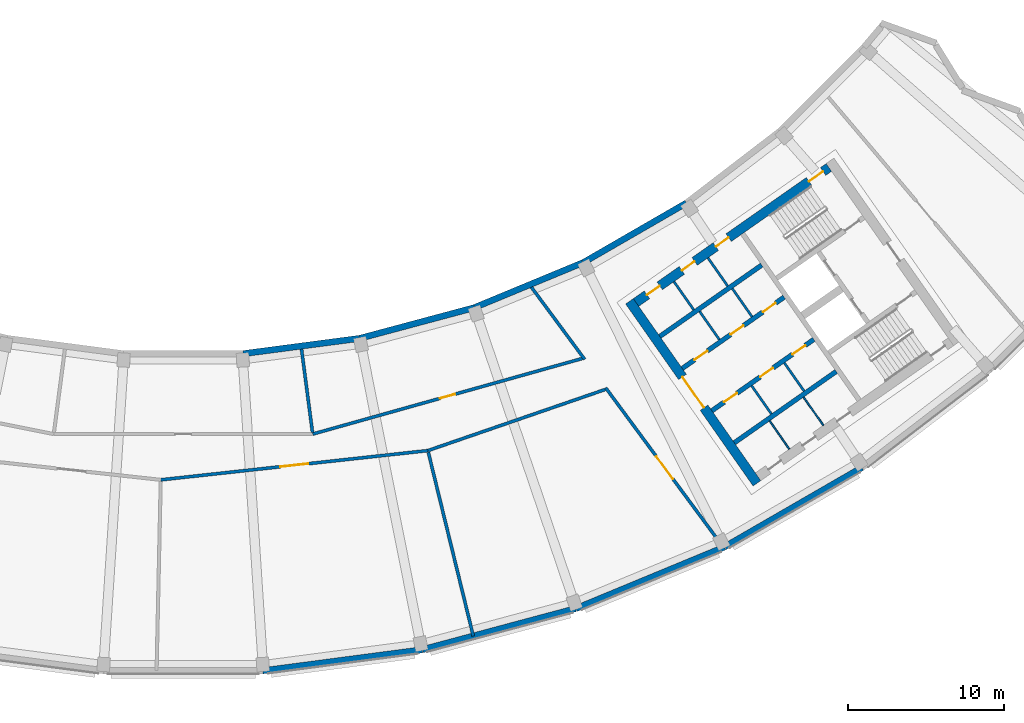
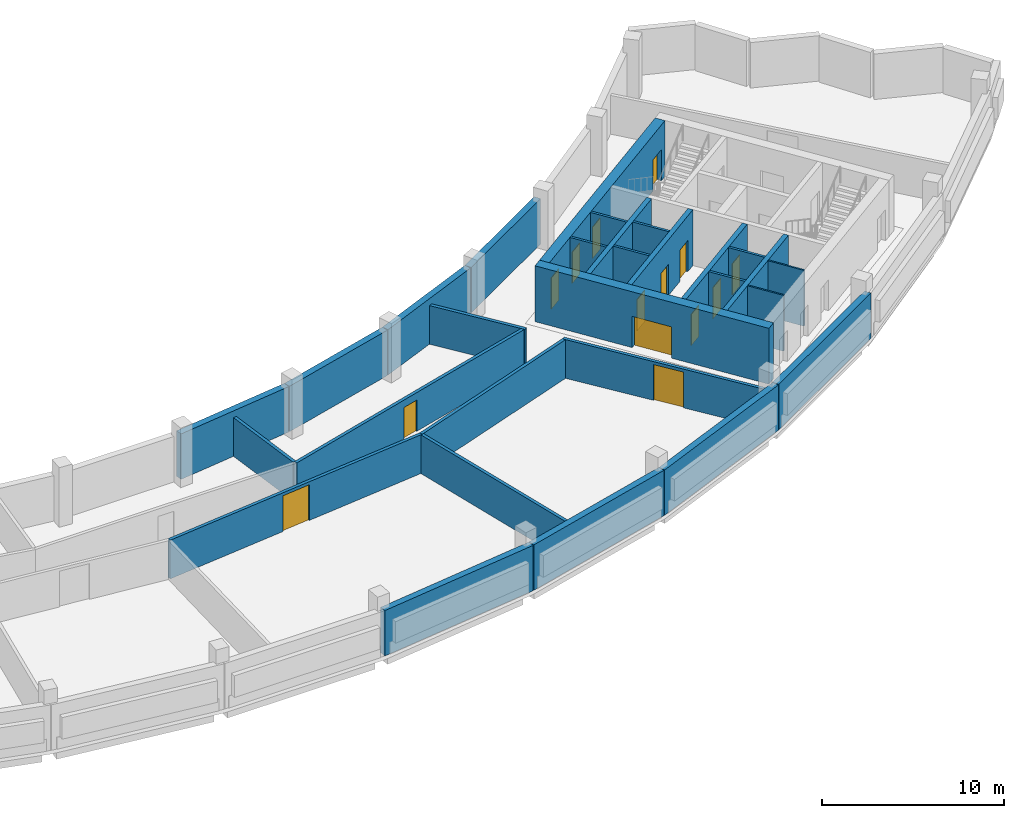
# One storey, part 5 of 11: 29 walls, 14 doors, 14 openings.
"""IFC4 building model written with IfcOpenShell, lengths in metres."""

from ifc_helpers import new_model, si_unit, direction, frame, frame_2d, origin, place, context, subcontext, project, spatial, rectangle, extrude, material, layer, layer_set, type_object, element, fill, save


model = new_model("IFC4")

# Units and contexts
model_context = context("Model", 3, precision=1e-05, world=origin(), true_north=direction((0.0, 1.0)))
body_context = subcontext(model_context, "Body", "Model", "MODEL_VIEW")
ifc_project = project(units=[si_unit("LENGTHUNIT", "METRE"), si_unit("AREAUNIT", "SQUARE_METRE"), si_unit("VOLUMEUNIT", "CUBIC_METRE"), si_unit("PLANEANGLEUNIT", "RADIAN"), si_unit("MASSUNIT", "GRAM", prefix="KILO")], contexts=[model_context])

# Site, building, storey
site_placement = place(None, origin())
site = spatial("IfcSite", under=ifc_project, at=site_placement, CompositionType="ELEMENT")
building_placement = place(site_placement, origin())
building = spatial("IfcBuilding", under=site, at=building_placement, Name="Qamariyya Broadcast Tower", CompositionType="ELEMENT")
storey_placement = place(building_placement, frame((0.0, 0.0, 298.699951171875)))
storey = spatial("IfcBuildingStorey", under=building, at=storey_placement, Name="L72", CompositionType="ELEMENT", Elevation=298.699951171875)

# Wall, opening, door
ifc_material_1 = material(Name="Concrete C60/75", Category="concrete")
ifc_layer_1 = layer(ifc_material_1, 0.60009765625)
ifc_layer_set_1 = layer_set([ifc_layer_1], Name="Core wall 600 mm Concrete C60/75")
wall_type_1 = type_object("IfcWallType", Name="Core wall 600 mm Concrete C60/75", PredefinedType="SHEAR", material=ifc_layer_set_1)
wall_1_placement = place(storey_placement, frame((36.66748046875, -66.005126953125, 0.0), z_axis=(0.0, 0.0, 1.0), x_axis=(-0.573568499524, 0.819157601658, 0.0)))
wall_1 = element("IfcWall", 1, at=wall_1_placement, inside=storey, type_object=wall_type_1, Name="k-E-L72-WA", PredefinedType="SHEAR", context=body_context, shape_type="SweptSolid", body=[
    extrude(rectangle(XDim=14.19970703125, YDim=0.60009765625, at=frame_2d((7.099853515625, 0.0))), origin(), (0.0, 0.0, 1.0), 3.75),
])
opening_1_placement = place(wall_1_placement, frame((5.89990234375, 0.0, 0.0)))
opening_1 = element("IfcOpeningElement", 2, at=opening_1_placement, cuts=wall_1, Name="Opening KD3-E1", PredefinedType="OPENING", context=body_context, shape_type="SweptSolid", body=[
    extrude(rectangle(XDim=2.39990234375, YDim=2.10009765625, at=frame_2d((1.199951171875, 1.050048828125))), frame((0.0, 0.31005859375, 0.0), z_axis=(0.0, -1.0, 0.0), x_axis=(1.0, 0.0, 0.0)), (0.0, 0.0, 1.0), 0.6201171875),
])
ifc_material_2 = material(Name="Steel fire-resisting door leaf", Category="steel")
door_type_1 = type_object("IfcDoorType", Name="Lift lobby door KD3", OperationType="DOUBLE_DOOR_SINGLE_SWING", PredefinedType="DOOR", material=ifc_material_2)
door_1_placement = place(opening_1_placement, origin())
door_1 = element("IfcDoor", 3, at=door_1_placement, inside=storey, type_object=door_type_1, Name="k-E-L72-WA-D1", OperationType="DOUBLE_DOOR_SINGLE_SWING", OverallHeight=2.10009765625, OverallWidth=2.39990234375, PredefinedType="DOOR", context=body_context, shape_type="SweptSolid", body=[
    extrude(rectangle(XDim=2.39990234375, YDim=2.10009765625, at=frame_2d((1.199951171875, 1.050048828125))), frame((0.0, 0.02490234375, 0.0), z_axis=(0.0, -1.0, 0.0), x_axis=(1.0, 0.0, 0.0)), (0.0, 0.0, 1.0), 0.050048828125),
])
fill(opening_1, door_1)

# Wall, openings, doors
wall_2_placement = place(storey_placement, frame((28.940673828125, -54.447021484375, 0.0), z_axis=(0.0, 0.0, 1.0), x_axis=(0.819153391756, 0.573574511963, 0.0)))
wall_2 = element("IfcWall", 4, at=wall_2_placement, inside=storey, type_object=wall_type_1, Name="k-E-L72-WI", PredefinedType="SHEAR", context=body_context, shape_type="SweptSolid", body=[
    extrude(rectangle(XDim=15.04541015625, YDim=0.60009765625, at=frame_2d((7.522705078125, 0.0))), origin(), (0.0, 0.0, 1.0), 3.75),
])
opening_2_placement = place(wall_2_placement, frame((0.85009765625, 0.0, 0.0)))
opening_2 = element("IfcOpeningElement", 5, at=opening_2_placement, cuts=wall_2, Name="Opening KD4-E7", PredefinedType="OPENING", context=body_context, shape_type="SweptSolid", body=[
    extrude(rectangle(XDim=1.0, YDim=2.10009765625, at=frame_2d((0.5, 1.050048828125))), frame((0.0, 0.31005859375, 0.0), z_axis=(0.0, -1.0, 0.0), x_axis=(1.0, 0.0, 0.0)), (0.0, 0.0, 1.0), 0.6201171875),
])
opening_3_placement = place(wall_2_placement, frame((3.574951171875, 0.0, 0.0)))
opening_3 = element("IfcOpeningElement", 6, at=opening_3_placement, cuts=wall_2, Name="Opening KD4-E8", PredefinedType="OPENING", context=body_context, shape_type="SweptSolid", body=[
    extrude(rectangle(XDim=1.0, YDim=2.10009765625, at=frame_2d((0.5, 1.050048828125))), frame((0.0, 0.31005859375, 0.0), z_axis=(0.0, -1.0, 0.0), x_axis=(1.0, 0.0, 0.0)), (0.0, 0.0, 1.0), 0.6201171875),
])
opening_4_placement = place(wall_2_placement, frame((6.22509765625, 0.0, 0.0)))
opening_4 = element("IfcOpeningElement", 7, at=opening_4_placement, cuts=wall_2, Name="Opening KD4-E9", PredefinedType="OPENING", context=body_context, shape_type="SweptSolid", body=[
    extrude(rectangle(XDim=1.0, YDim=2.10009765625, at=frame_2d((0.5, 1.050048828125))), frame((0.0, 0.31005859375, 0.0), z_axis=(0.0, -1.0, 0.0), x_axis=(1.0, 0.0, 0.0)), (0.0, 0.0, 1.0), 0.6201171875),
])
opening_5_placement = place(wall_2_placement, frame((13.495361328125, 0.0, 0.0)))
opening_5 = element("IfcOpeningElement", 8, at=opening_5_placement, cuts=wall_2, Name="Opening KD1-E1", PredefinedType="OPENING", context=body_context, shape_type="SweptSolid", body=[
    extrude(rectangle(XDim=1.10009765625, YDim=2.10009765625, at=frame_2d((0.550048828125, 1.050048828125))), frame((0.0, 0.31005859375, 0.0), z_axis=(0.0, -1.0, 0.0), x_axis=(1.0, 0.0, 0.0)), (0.0, 0.0, 1.0), 0.6201171875),
])
door_type_2 = type_object("IfcDoorType", Name="Riser and plant door KD4", OperationType="SINGLE_SWING_LEFT", PredefinedType="DOOR", material=ifc_material_2)
door_2_placement = place(opening_2_placement, origin())
door_2 = element("IfcDoor", 9, at=door_2_placement, inside=storey, type_object=door_type_2, Name="k-E-L72-WI-D8", OperationType="SINGLE_SWING_RIGHT", OverallHeight=2.10009765625, OverallWidth=1.0, PredefinedType="DOOR", context=body_context, shape_type="SweptSolid", body=[
    extrude(rectangle(XDim=1.0, YDim=2.10009765625, at=frame_2d((0.5, 1.050048828125))), frame((0.0, 0.02490234375, 0.0), z_axis=(0.0, -1.0, 0.0), x_axis=(1.0, 0.0, 0.0)), (0.0, 0.0, 1.0), 0.050048828125),
])
fill(opening_2, door_2)
door_3_placement = place(opening_3_placement, origin())
door_3 = element("IfcDoor", 10, at=door_3_placement, inside=storey, type_object=door_type_2, Name="k-E-L72-WI-D9", OperationType="SINGLE_SWING_LEFT", OverallHeight=2.10009765625, OverallWidth=1.0, PredefinedType="DOOR", context=body_context, shape_type="SweptSolid", body=[
    extrude(rectangle(XDim=1.0, YDim=2.10009765625, at=frame_2d((0.5, 1.050048828125))), frame((0.0, 0.02490234375, 0.0), z_axis=(0.0, -1.0, 0.0), x_axis=(1.0, 0.0, 0.0)), (0.0, 0.0, 1.0), 0.050048828125),
])
fill(opening_3, door_3)
door_4_placement = place(opening_4_placement, origin())
door_4 = element("IfcDoor", 11, at=door_4_placement, inside=storey, type_object=door_type_2, Name="k-E-L72-WI-D10", OperationType="SINGLE_SWING_RIGHT", OverallHeight=2.10009765625, OverallWidth=1.0, PredefinedType="DOOR", context=body_context, shape_type="SweptSolid", body=[
    extrude(rectangle(XDim=1.0, YDim=2.10009765625, at=frame_2d((0.5, 1.050048828125))), frame((0.0, 0.02490234375, 0.0), z_axis=(0.0, -1.0, 0.0), x_axis=(1.0, 0.0, 0.0)), (0.0, 0.0, 1.0), 0.050048828125),
])
fill(opening_4, door_4)
door_type_3 = type_object("IfcDoorType", Name="Stair door KD1", OperationType="SINGLE_SWING_LEFT", PredefinedType="DOOR", material=ifc_material_2)
door_5_placement = place(opening_5_placement, origin())
door_5 = element("IfcDoor", 12, at=door_5_placement, inside=storey, type_object=door_type_3, Name="k-E-L72-WI-D17", OperationType="SINGLE_SWING_RIGHT", OverallHeight=2.10009765625, OverallWidth=1.10009765625, PredefinedType="DOOR", context=body_context, shape_type="SweptSolid", body=[
    extrude(rectangle(XDim=1.10009765625, YDim=2.10009765625, at=frame_2d((0.550048828125, 1.050048828125))), frame((0.0, 0.02490234375, 0.0), z_axis=(0.0, -1.0, 0.0), x_axis=(1.0, 0.0, 0.0)), (0.0, 0.0, 1.0), 0.050048828125),
])
fill(opening_5, door_5)

# Walls
ifc_material_3 = material(Name="Gypsum board partition on steel studs", Category="steel")
ifc_layer_2 = layer(ifc_material_3, 0.14990234375)
ifc_layer_set_2 = layer_set([ifc_layer_2], Name="Gypsum board partition 150 mm")
wall_type_2 = type_object("IfcWallType", Name="Gypsum board partition 150 mm", PredefinedType="PARTITIONING", material=ifc_layer_set_2)
for number, where, z_axis, x_axis, name in (
    (13, (34.26611328125, -56.822021484375, 0.0), (0.0, 0.0, 1.0), (-0.573581496053, 0.819148501424, 0.0), "k-E-L72-NC300"),
    (14, (36.35498046875, -55.359375, 0.0), (0.0, 0.0, 1.0), (-0.573581496053, 0.819148501424, 0.0), "k-E-L72-NC555"),
):
    element("IfcWall", number, at=place(storey_placement, frame(where, z_axis=z_axis, x_axis=x_axis)), inside=storey, type_object=wall_type_2, Name=name, PredefinedType="PARTITIONING", context=body_context, shape_type="SweptSolid", body=[
        extrude(rectangle(XDim=2.2001953125, YDim=0.14990234375, at=frame_2d((1.10009765625, 0.0))), origin(), (0.0, 0.0, 1.0), 3.75),
    ])
for number, where, z_axis, x_axis, name in (
    (15, (36.330810546875, -59.77099609375, 0.0), (0.0, 0.0, 1.0), (0.573633636671, -0.819111989218, 0.0), "k-E-L72-SC300"),
    (16, (38.419677734375, -58.308349609375, 0.0), (0.0, 0.0, 1.0), (0.573633636671, -0.819111989218, 0.0), "k-E-L72-SC555"),
    (17, (32.627197265625, -54.91748046875, 0.0), (0.0, 0.0, 1.0), (-0.573507030513, 0.819200638399, 0.0), "k-E-L72-NP275"),
    (18, (34.798095703125, -53.3974609375, 0.0), (0.0, 0.0, 1.0), (-0.573633636671, 0.819111989218, 0.0), "k-E-L72-NP540"),
):
    element("IfcWall", number, at=place(storey_placement, frame(where, z_axis=z_axis, x_axis=x_axis)), inside=storey, type_object=wall_type_2, Name=name, PredefinedType="PARTITIONING", context=body_context, shape_type="SweptSolid", body=[
        extrude(rectangle(XDim=2.199951171875, YDim=0.14990234375, at=frame_2d((1.10009765625, 0.0))), origin(), (0.0, 0.0, 1.0), 3.75),
    ])

# Wall, openings, doors
ifc_layer_3 = layer(ifc_material_1, 0.300048828125)
ifc_layer_set_3 = layer_set([ifc_layer_3], Name="Lift shaft wall 300 mm Concrete C60/75")
wall_type_3 = type_object("IfcWallType", Name="Lift shaft wall 300 mm Concrete C60/75", PredefinedType="SOLIDWALL", material=ifc_layer_set_3)
wall_3_placement = place(storey_placement, frame((31.89453125, -58.66552734375, 0.0), z_axis=(0.0, 0.0, 1.0), x_axis=(0.819166993208, 0.573555086491, 0.0)))
wall_3 = element("IfcWall", 19, at=wall_3_placement, inside=storey, type_object=wall_type_3, Name="k-E-L72-NF0", PredefinedType="SOLIDWALL", context=body_context, shape_type="SweptSolid", body=[
    extrude(rectangle(XDim=7.9501953125, YDim=0.300048828125, at=frame_2d((3.97509765625, 0.0))), origin(), (0.0, 0.0, 1.0), 3.75),
])
opening_6_placement = place(wall_3_placement, frame((0.96240234375, 0.0, 0.0)))
opening_6 = element("IfcOpeningElement", 20, at=opening_6_placement, cuts=wall_3, Name="Opening KD4-E1", PredefinedType="OPENING", context=body_context, shape_type="SweptSolid", body=[
    extrude(rectangle(XDim=1.0, YDim=2.10009765625, at=frame_2d((0.5, 1.050048828125))), frame((0.0, 0.159912109375, 0.0), z_axis=(0.0, -1.0, 0.0), x_axis=(1.0, 0.0, 0.0)), (0.0, 0.0, 1.0), 0.320068359375),
])
opening_7_placement = place(wall_3_placement, frame((3.77490234375, 0.0, 0.0)))
opening_7 = element("IfcOpeningElement", 21, at=opening_7_placement, cuts=wall_3, Name="Opening KD4-E2", PredefinedType="OPENING", context=body_context, shape_type="SweptSolid", body=[
    extrude(rectangle(XDim=1.0, YDim=2.10009765625, at=frame_2d((0.5, 1.050048828125))), frame((0.0, 0.159912109375, 0.0), z_axis=(0.0, -1.0, 0.0), x_axis=(1.0, 0.0, 0.0)), (0.0, 0.0, 1.0), 0.320068359375),
])
opening_8_placement = place(wall_3_placement, frame((6.28759765625, 0.0, 0.0)))
opening_8 = element("IfcOpeningElement", 22, at=opening_8_placement, cuts=wall_3, Name="Opening KD4-E3", PredefinedType="OPENING", context=body_context, shape_type="SweptSolid", body=[
    extrude(rectangle(XDim=1.0, YDim=2.10009765625, at=frame_2d((0.5, 1.050048828125))), frame((0.0, 0.159912109375, 0.0), z_axis=(0.0, -1.0, 0.0), x_axis=(1.0, 0.0, 0.0)), (0.0, 0.0, 1.0), 0.320068359375),
])
door_6_placement = place(opening_6_placement, origin())
door_6 = element("IfcDoor", 23, at=door_6_placement, inside=storey, type_object=door_type_2, Name="k-E-L72-NF0-D2", OperationType="SINGLE_SWING_RIGHT", OverallHeight=2.10009765625, OverallWidth=1.0, PredefinedType="DOOR", context=body_context, shape_type="SweptSolid", body=[
    extrude(rectangle(XDim=1.0, YDim=2.10009765625, at=frame_2d((0.5, 1.050048828125))), frame((0.0, 0.02490234375, 0.0), z_axis=(0.0, -1.0, 0.0), x_axis=(1.0, 0.0, 0.0)), (0.0, 0.0, 1.0), 0.050048828125),
])
fill(opening_6, door_6)
door_7_placement = place(opening_7_placement, origin())
door_7 = element("IfcDoor", 24, at=door_7_placement, inside=storey, type_object=door_type_2, Name="k-E-L72-NF0-D3", OperationType="SINGLE_SWING_LEFT", OverallHeight=2.10009765625, OverallWidth=1.0, PredefinedType="DOOR", context=body_context, shape_type="SweptSolid", body=[
    extrude(rectangle(XDim=1.0, YDim=2.10009765625, at=frame_2d((0.5, 1.050048828125))), frame((0.0, 0.02490234375, 0.0), z_axis=(0.0, -1.0, 0.0), x_axis=(1.0, 0.0, 0.0)), (0.0, 0.0, 1.0), 0.050048828125),
])
fill(opening_7, door_7)
door_8_placement = place(opening_8_placement, origin())
door_8 = element("IfcDoor", 25, at=door_8_placement, inside=storey, type_object=door_type_2, Name="k-E-L72-NF0-D4", OperationType="SINGLE_SWING_RIGHT", OverallHeight=2.10009765625, OverallWidth=1.0, PredefinedType="DOOR", context=body_context, shape_type="SweptSolid", body=[
    extrude(rectangle(XDim=1.0, YDim=2.10009765625, at=frame_2d((0.5, 1.050048828125))), frame((0.0, 0.02490234375, 0.0), z_axis=(0.0, -1.0, 0.0), x_axis=(1.0, 0.0, 0.0)), (0.0, 0.0, 1.0), 0.050048828125),
])
fill(opening_8, door_8)

# Wall
wall_4_placement = place(storey_placement, frame((30.460693359375, -56.61767578125, 0.0), z_axis=(0.0, 0.0, 1.0), x_axis=(0.819142461705, 0.573590121456, 0.0)))
element("IfcWall", 26, at=wall_4_placement, inside=storey, type_object=wall_type_3, Name="k-E-L72-NB0", PredefinedType="SOLIDWALL", context=body_context, shape_type="SweptSolid", body=[
    extrude(rectangle(XDim=7.949951171875, YDim=0.300048828125, at=frame_2d((3.97509765625, 0.0))), origin(), (0.0, 0.0, 1.0), 3.75),
])

# Wall, openings, doors
wall_5_placement = place(storey_placement, frame((33.787353515625, -61.368896484375, 0.0), z_axis=(0.0, 0.0, 1.0), x_axis=(0.819152564888, 0.573575692858, 0.0)))
wall_5 = element("IfcWall", 27, at=wall_5_placement, inside=storey, type_object=wall_type_3, Name="k-E-L72-SF0", PredefinedType="SOLIDWALL", context=body_context, shape_type="SweptSolid", body=[
    extrude(rectangle(XDim=7.9501953125, YDim=0.300048828125, at=frame_2d((3.97509765625, 0.0))), origin(), (0.0, 0.0, 1.0), 3.75),
])
opening_9_placement = place(wall_5_placement, frame((0.96240234375, 0.0, 0.0)))
opening_9 = element("IfcOpeningElement", 28, at=opening_9_placement, cuts=wall_5, Name="Opening KD4-E4", PredefinedType="OPENING", context=body_context, shape_type="SweptSolid", body=[
    extrude(rectangle(XDim=1.0, YDim=2.10009765625, at=frame_2d((0.5, 1.050048828125))), frame((0.0, 0.159912109375, 0.0), z_axis=(0.0, -1.0, 0.0), x_axis=(1.0, 0.0, 0.0)), (0.0, 0.0, 1.0), 0.320068359375),
])
opening_10_placement = place(wall_5_placement, frame((3.77490234375, 0.0, 0.0)))
opening_10 = element("IfcOpeningElement", 29, at=opening_10_placement, cuts=wall_5, Name="Opening KD4-E5", PredefinedType="OPENING", context=body_context, shape_type="SweptSolid", body=[
    extrude(rectangle(XDim=1.0, YDim=2.10009765625, at=frame_2d((0.5, 1.050048828125))), frame((0.0, 0.159912109375, 0.0), z_axis=(0.0, -1.0, 0.0), x_axis=(1.0, 0.0, 0.0)), (0.0, 0.0, 1.0), 0.320068359375),
])
opening_11_placement = place(wall_5_placement, frame((6.28759765625, 0.0, 0.0)))
opening_11 = element("IfcOpeningElement", 30, at=opening_11_placement, cuts=wall_5, Name="Opening KD4-E6", PredefinedType="OPENING", context=body_context, shape_type="SweptSolid", body=[
    extrude(rectangle(XDim=1.0, YDim=2.10009765625, at=frame_2d((0.5, 1.050048828125))), frame((0.0, 0.159912109375, 0.0), z_axis=(0.0, -1.0, 0.0), x_axis=(1.0, 0.0, 0.0)), (0.0, 0.0, 1.0), 0.320068359375),
])
door_9_placement = place(opening_9_placement, origin())
door_9 = element("IfcDoor", 31, at=door_9_placement, inside=storey, type_object=door_type_2, Name="k-E-L72-SF0-D5", OperationType="SINGLE_SWING_LEFT", OverallHeight=2.10009765625, OverallWidth=1.0, PredefinedType="DOOR", context=body_context, shape_type="SweptSolid", body=[
    extrude(rectangle(XDim=1.0, YDim=2.10009765625, at=frame_2d((0.5, 1.050048828125))), frame((0.0, 0.02490234375, 0.0), z_axis=(0.0, -1.0, 0.0), x_axis=(1.0, 0.0, 0.0)), (0.0, 0.0, 1.0), 0.050048828125),
])
fill(opening_9, door_9)
door_10_placement = place(opening_10_placement, origin())
door_10 = element("IfcDoor", 32, at=door_10_placement, inside=storey, type_object=door_type_2, Name="k-E-L72-SF0-D6", OperationType="SINGLE_SWING_RIGHT", OverallHeight=2.10009765625, OverallWidth=1.0, PredefinedType="DOOR", context=body_context, shape_type="SweptSolid", body=[
    extrude(rectangle(XDim=1.0, YDim=2.10009765625, at=frame_2d((0.5, 1.050048828125))), frame((0.0, 0.02490234375, 0.0), z_axis=(0.0, -1.0, 0.0), x_axis=(1.0, 0.0, 0.0)), (0.0, 0.0, 1.0), 0.050048828125),
])
fill(opening_10, door_10)
door_11_placement = place(opening_11_placement, origin())
door_11 = element("IfcDoor", 33, at=door_11_placement, inside=storey, type_object=door_type_2, Name="k-E-L72-SF0-D7", OperationType="SINGLE_SWING_LEFT", OverallHeight=2.10009765625, OverallWidth=1.0, PredefinedType="DOOR", context=body_context, shape_type="SweptSolid", body=[
    extrude(rectangle(XDim=1.0, YDim=2.10009765625, at=frame_2d((0.5, 1.050048828125))), frame((0.0, 0.02490234375, 0.0), z_axis=(0.0, -1.0, 0.0), x_axis=(1.0, 0.0, 0.0)), (0.0, 0.0, 1.0), 0.050048828125),
])
fill(opening_11, door_11)

# Wall
wall_6_placement = place(storey_placement, frame((35.22119140625, -63.41650390625, 0.0), z_axis=(0.0, 0.0, 1.0), x_axis=(0.819166993208, 0.573555086491, 0.0)))
element("IfcWall", 34, at=wall_6_placement, inside=storey, type_object=wall_type_3, Name="k-E-L72-SB0", PredefinedType="SOLIDWALL", context=body_context, shape_type="SweptSolid", body=[
    extrude(rectangle(XDim=7.9501953125, YDim=0.300048828125, at=frame_2d((3.97509765625, 0.0))), origin(), (0.0, 0.0, 1.0), 3.75),
])

# Wall, opening, door
ifc_material_4 = material(Name="Masonry block wall", Category="masonry")
ifc_layer_4 = layer(ifc_material_4, 0.199951171875)
ifc_layer_set_4 = layer_set([ifc_layer_4], Name="Plant room wall 200 EI 120")
wall_type_4 = type_object("IfcWallType", Name="Plant room wall 200 EI 120", PredefinedType="PARTITIONING", material=ifc_layer_set_4)
wall_7_placement = place(storey_placement, frame((15.637939453125, -63.914794921875, 0.0), z_axis=(0.0, 0.0, 1.0), x_axis=(-0.99406045317, -0.108829294966, 0.0)))
wall_7 = element("IfcWall", 35, at=wall_7_placement, inside=storey, type_object=wall_type_4, Name="Partition L72-013", PredefinedType="PARTITIONING", context=body_context, shape_type="SweptSolid", body=[
    extrude(rectangle(XDim=17.17724609375, YDim=0.199951171875, at=frame_2d((8.588623046875, 0.0))), origin(), (0.0, 0.0, 1.0), 2.60009765625),
])
opening_12_placement = place(wall_7_placement, frame((7.688720703125, 0.0, 0.0)))
opening_12 = element("IfcOpeningElement", 36, at=opening_12_placement, cuts=wall_7, Name="Opening L72-D03", PredefinedType="OPENING", context=body_context, shape_type="SweptSolid", body=[
    extrude(rectangle(XDim=1.800048828125, YDim=2.39990234375, at=frame_2d((0.89990234375, 1.199951171875))), frame((0.0, 0.10986328125, 0.0), z_axis=(0.0, -1.0, 0.0), x_axis=(1.0, 0.0, 0.0)), (0.0, 0.0, 1.0), 0.219970703125),
])
ifc_material_5 = material(Name="Insulated metal door leaf")
door_type_4 = type_object("IfcDoorType", Name="Plant double door 1800 x 2400 FD120", OperationType="NOTDEFINED", PredefinedType="DOOR", material=ifc_material_5)
door_12_placement = place(opening_12_placement, origin())
door_12 = element("IfcDoor", 37, at=door_12_placement, inside=storey, type_object=door_type_4, Name="Door L72-D03", OperationType="DOUBLE_DOOR_SINGLE_SWING", OverallHeight=2.39990234375, OverallWidth=1.800048828125, PredefinedType="DOOR", context=body_context, shape_type="SweptSolid", body=[
    extrude(rectangle(XDim=1.800048828125, YDim=2.39990234375, at=frame_2d((0.89990234375, 1.199951171875))), frame((0.0, 0.02490234375, 0.0), z_axis=(0.0, -1.0, 0.0), x_axis=(1.0, 0.0, 0.0)), (0.0, 0.0, 1.0), 0.050048828125),
])
fill(opening_12, door_12)

# Wall
wall_8_placement = place(storey_placement, frame((7.56103515625, -57.430908203125, 0.0), z_axis=(0.0, 0.0, 1.0), x_axis=(0.130485069567, -0.991450274406, 0.0)))
element("IfcWall", 38, at=wall_8_placement, inside=storey, type_object=wall_type_4, Name="Partition L72-014", PredefinedType="PARTITIONING", context=body_context, shape_type="SweptSolid", body=[
    extrude(rectangle(XDim=5.37353515625, YDim=0.199951171875, at=frame_2d((2.686767578125, 0.0))), origin(), (0.0, 0.0, 1.0), 2.60009765625),
])

# Wall, opening, door
wall_9_placement = place(storey_placement, frame((8.275390625, -62.857666015625, 0.0), z_axis=(0.0, 0.0, 1.0), x_axis=(0.96289595911, 0.269872881057, 0.0)))
wall_9 = element("IfcWall", 39, at=wall_9_placement, inside=storey, type_object=wall_type_4, Name="Partition L72-015", PredefinedType="PARTITIONING", context=body_context, shape_type="SweptSolid", body=[
    extrude(rectangle(XDim=17.890380859375, YDim=0.199951171875, at=frame_2d((8.9453125, 0.0))), origin(), (0.0, 0.0, 1.0), 2.60009765625),
])
opening_13_placement = place(wall_9_placement, frame((8.445068359375, 0.0, 0.0)))
opening_13 = element("IfcOpeningElement", 40, at=opening_13_placement, cuts=wall_9, Name="Opening L72-D08", PredefinedType="OPENING", context=body_context, shape_type="SweptSolid", body=[
    extrude(rectangle(XDim=1.0, YDim=2.10009765625, at=frame_2d((0.5, 1.050048828125))), frame((0.0, 0.10986328125, 0.0), z_axis=(0.0, -1.0, 0.0), x_axis=(1.0, 0.0, 0.0)), (0.0, 0.0, 1.0), 0.219970703125),
])
door_type_5 = type_object("IfcDoorType", Name="Plant door 1000 x 2100 FD120", OperationType="NOTDEFINED", PredefinedType="DOOR", material=ifc_material_5)
door_13_placement = place(opening_13_placement, origin())
door_13 = element("IfcDoor", 41, at=door_13_placement, inside=storey, type_object=door_type_5, Name="Door L72-D08", OperationType="SINGLE_SWING_RIGHT", OverallHeight=2.10009765625, OverallWidth=1.0, PredefinedType="DOOR", context=body_context, shape_type="SweptSolid", body=[
    extrude(rectangle(XDim=1.0, YDim=2.10009765625, at=frame_2d((0.5, 1.050048828125))), frame((0.0, 0.02490234375, 0.0), z_axis=(0.0, -1.0, 0.0), x_axis=(1.0, 0.0, 0.0)), (0.0, 0.0, 1.0), 0.050048828125),
])
fill(opening_13, door_13)

# Walls
wall_10_placement = place(storey_placement, frame((15.637939453125, -63.914794921875, 0.0), z_axis=(0.0, 0.0, 1.0), x_axis=(0.945432745442, 0.325817316676, 0.0)))
element("IfcWall", 42, at=wall_10_placement, inside=storey, type_object=wall_type_4, Name="Partition L72-016", PredefinedType="PARTITIONING", context=body_context, shape_type="SweptSolid", body=[
    extrude(rectangle(XDim=11.978515625, YDim=0.199951171875, at=frame_2d((5.9892578125, 0.0))), origin(), (0.0, 0.0, 1.0), 2.60009765625),
])
wall_11_placement = place(storey_placement, frame((18.53759765625, -75.76611328125, 0.0), z_axis=(0.0, 0.0, 1.0), x_axis=(-0.23766673197, 0.971346758122, 0.0)))
element("IfcWall", 43, at=wall_11_placement, inside=storey, type_object=wall_type_4, Name="Partition L72-017", PredefinedType="PARTITIONING", context=body_context, shape_type="SweptSolid", body=[
    extrude(rectangle(XDim=12.100830078125, YDim=0.199951171875, at=frame_2d((6.05029296875, 0.0))), origin(), (0.0, 0.0, 1.0), 2.60009765625),
])
wall_12_placement = place(storey_placement, frame((22.251953125, -53.469482421875, 0.0), z_axis=(0.0, 0.0, 1.0), x_axis=(0.593885763016, -0.804549377283, 0.0)))
element("IfcWall", 44, at=wall_12_placement, inside=storey, type_object=wall_type_4, Name="Partition L72-018", PredefinedType="PARTITIONING", context=body_context, shape_type="SweptSolid", body=[
    extrude(rectangle(XDim=5.734375, YDim=0.199951171875, at=frame_2d((2.8671875, 0.0))), origin(), (0.0, 0.0, 1.0), 2.60009765625),
])

# Wall, opening, door
wall_13_placement = place(storey_placement, frame((34.534423828125, -70.109130859375, 0.0), z_axis=(0.0, 0.0, 1.0), x_axis=(-0.593866233023, 0.804563793167, 0.0)))
wall_13 = element("IfcWall", 45, at=wall_13_placement, inside=storey, type_object=wall_type_4, Name="Partition L72-019", PredefinedType="PARTITIONING", context=body_context, shape_type="SweptSolid", body=[
    extrude(rectangle(XDim=12.6904296875, YDim=0.199951171875, at=frame_2d((6.34521484375, 0.0))), origin(), (0.0, 0.0, 1.0), 2.60009765625),
])
opening_14_placement = place(wall_13_placement, frame((5.445068359375, 0.0, 0.0)))
opening_14 = element("IfcOpeningElement", 46, at=opening_14_placement, cuts=wall_13, Name="Opening L72-D04", PredefinedType="OPENING", context=body_context, shape_type="SweptSolid", body=[
    extrude(rectangle(XDim=1.800048828125, YDim=2.39990234375, at=frame_2d((0.89990234375, 1.199951171875))), frame((0.0, 0.10986328125, 0.0), z_axis=(0.0, -1.0, 0.0), x_axis=(1.0, 0.0, 0.0)), (0.0, 0.0, 1.0), 0.219970703125),
])
door_14_placement = place(opening_14_placement, origin())
door_14 = element("IfcDoor", 47, at=door_14_placement, inside=storey, type_object=door_type_4, Name="Door L72-D04", OperationType="DOUBLE_DOOR_SINGLE_SWING", OverallHeight=2.39990234375, OverallWidth=1.800048828125, PredefinedType="DOOR", context=body_context, shape_type="SweptSolid", body=[
    extrude(rectangle(XDim=1.800048828125, YDim=2.39990234375, at=frame_2d((0.89990234375, 1.199951171875))), frame((0.0, 0.02490234375, 0.0), z_axis=(0.0, -1.0, 0.0), x_axis=(1.0, 0.0, 0.0)), (0.0, 0.0, 1.0), 0.050048828125),
])
fill(opening_14, door_14)

# Walls
ifc_material_6 = material(Name="Fire-rated gypsum shaft liner on steel studs", Category="steel")
ifc_layer_5 = layer(ifc_material_6, 0.10009765625)
ifc_layer_set_5 = layer_set([ifc_layer_5], Name="Riser wall 100 mm")
wall_type_5 = type_object("IfcWallType", Name="Riser wall 100 mm", PredefinedType="PLUMBINGWALL", material=ifc_layer_set_5)
wall_14_placement = place(storey_placement, frame((37.47802734375, -62.01953125, 0.0), z_axis=(0.0, 0.0, 1.0), x_axis=(0.573581496053, -0.819148501424, 0.0)))
element("IfcWall", 48, at=wall_14_placement, inside=storey, type_object=wall_type_5, Name="k-E-L72-SP265", PredefinedType="PLUMBINGWALL", context=body_context, shape_type="SweptSolid", body=[
    extrude(rectangle(XDim=2.2001953125, YDim=0.10009765625, at=frame_2d((1.10009765625, 0.0))), origin(), (0.0, 0.0, 1.0), 3.75),
])
wall_15_placement = place(storey_placement, frame((39.64892578125, -60.49951171875, 0.0), z_axis=(0.0, 0.0, 1.0), x_axis=(0.573507030513, -0.819200638399, 0.0)))
element("IfcWall", 49, at=wall_15_placement, inside=storey, type_object=wall_type_5, Name="k-E-L72-SP530", PredefinedType="PLUMBINGWALL", context=body_context, shape_type="SweptSolid", body=[
    extrude(rectangle(XDim=2.199951171875, YDim=0.10009765625, at=frame_2d((1.10009765625, 0.0))), origin(), (0.0, 0.0, 1.0), 3.75),
])
ifc_material_7 = material(Name="Terracotta", Category="masonry")
ifc_layer_6 = layer(ifc_material_7, 0.39990234375)
ifc_layer_set_6 = layer_set([ifc_layer_6], Name="Solid terracotta louvred band wall 400")
wall_type_6 = type_object("IfcWallType", Name="Solid terracotta louvred band wall 400", PredefinedType="SOLIDWALL", material=ifc_layer_set_6)
wall_16_placement = place(storey_placement, frame((25.539794921875, -51.90380859375, 0.0), z_axis=(0.0, 0.0, 1.0), x_axis=(-0.923872151004, -0.382701252414, 0.0)))
element("IfcWall", 50, at=wall_16_placement, inside=storey, type_object=wall_type_6, Name="e-wl-L72-in100", PredefinedType="SOLIDWALL", context=body_context, shape_type="SweptSolid", body=[
    extrude(rectangle(XDim=7.4658203125, YDim=0.39990234375, at=frame_2d((3.73291015625, 0.0))), origin(), (0.0, 0.0, 1.0), 3.050048828125),
])
wall_17_placement = place(storey_placement, frame((32.16162109375, -48.08837890625, 0.0), z_axis=(0.0, 0.0, 1.0), x_axis=(-0.866025463095, -0.499999897272, 0.0)))
element("IfcWall", 51, at=wall_17_placement, inside=storey, type_object=wall_type_6, Name="e-wl-L72-in110", PredefinedType="SOLIDWALL", context=body_context, shape_type="SweptSolid", body=[
    extrude(rectangle(XDim=7.6171875, YDim=0.39990234375, at=frame_2d((3.80859375, 0.0))), origin(), (0.0, 0.0, 1.0), 3.050048828125),
])
wall_18_placement = place(storey_placement, frame((11.23583984375, -56.745361328125, 0.0), z_axis=(0.0, 0.0, 1.0), x_axis=(-0.991442493144, -0.130544179452, 0.0)))
element("IfcWall", 52, at=wall_18_placement, inside=storey, type_object=wall_type_6, Name="e-wl-L72-in80", PredefinedType="SOLIDWALL", context=body_context, shape_type="SweptSolid", body=[
    extrude(rectangle(XDim=7.4658203125, YDim=0.39990234375, at=frame_2d((3.73291015625, 0.0))), origin(), (0.0, 0.0, 1.0), 3.050048828125),
])
wall_19_placement = place(storey_placement, frame((18.61962890625, -54.77392578125, 0.0), z_axis=(0.0, 0.0, 1.0), x_axis=(-0.965927307138, -0.258813518437, 0.0)))
element("IfcWall", 53, at=wall_19_placement, inside=storey, type_object=wall_type_6, Name="e-wl-L72-in90", PredefinedType="SOLIDWALL", context=body_context, shape_type="SweptSolid", body=[
    extrude(rectangle(XDim=7.6171875, YDim=0.39990234375, at=frame_2d((3.80859375, 0.0))), origin(), (0.0, 0.0, 1.0), 3.050048828125),
])
wall_20_placement = place(storey_placement, frame((25.09716796875, -74.01171875, 0.0), z_axis=(0.0, 0.0, 1.0), x_axis=(0.923877211741, 0.382689035152, 0.0)))
element("IfcWall", 54, at=wall_20_placement, inside=storey, type_object=wall_type_6, Name="e-wl-L72-out100", PredefinedType="SOLIDWALL", context=body_context, shape_type="SweptSolid", body=[
    extrude(rectangle(XDim=10.2724609375, YDim=0.39990234375, at=frame_2d((5.13623046875, 0.0))), origin(), (0.0, 0.0, 1.0), 3.050048828125),
])
wall_21_placement = place(storey_placement, frame((34.608642578125, -70.06494140625, 0.0), z_axis=(0.0, 0.0, 1.0), x_axis=(0.866019679839, 0.500009914033, 0.0)))
element("IfcWall", 55, at=wall_21_placement, inside=storey, type_object=wall_type_6, Name="e-wl-L72-out110", PredefinedType="SOLIDWALL", context=body_context, shape_type="SweptSolid", body=[
    extrude(rectangle(XDim=10.120849609375, YDim=0.39990234375, at=frame_2d((5.060546875, 0.0))), origin(), (0.0, 0.0, 1.0), 3.050048828125),
])
wall_22_placement = place(storey_placement, frame((5.08642578125, -77.985595703125, 0.0), z_axis=(0.0, 0.0, 1.0), x_axis=(0.991444909321, 0.130525828027, 0.0)))
element("IfcWall", 56, at=wall_22_placement, inside=storey, type_object=wall_type_6, Name="e-wl-L72-out80", PredefinedType="SOLIDWALL", context=body_context, shape_type="SweptSolid", body=[
    extrude(rectangle(XDim=10.2724609375, YDim=0.39990234375, at=frame_2d((5.13623046875, 0.0))), origin(), (0.0, 0.0, 1.0), 3.050048828125),
])
wall_23_placement = place(storey_placement, frame((15.295166015625, -76.634765625, 0.0), z_axis=(0.0, 0.0, 1.0), x_axis=(0.965928778267, 0.258808027921, 0.0)))
element("IfcWall", 57, at=wall_23_placement, inside=storey, type_object=wall_type_6, Name="e-wl-L72-out90", PredefinedType="SOLIDWALL", context=body_context, shape_type="SweptSolid", body=[
    extrude(rectangle(XDim=10.120849609375, YDim=0.39990234375, at=frame_2d((5.060546875, 0.0))), origin(), (0.0, 0.0, 1.0), 3.050048828125),
])

save(model, "model.ifc")
